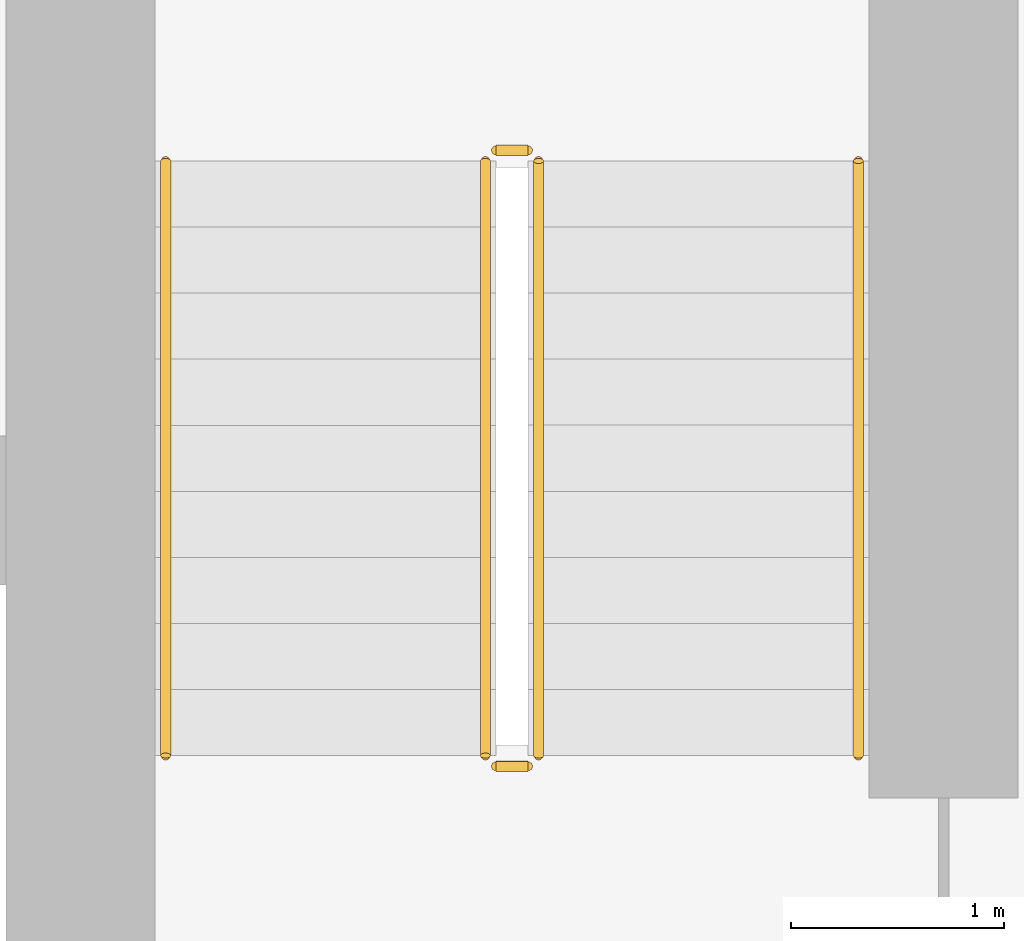
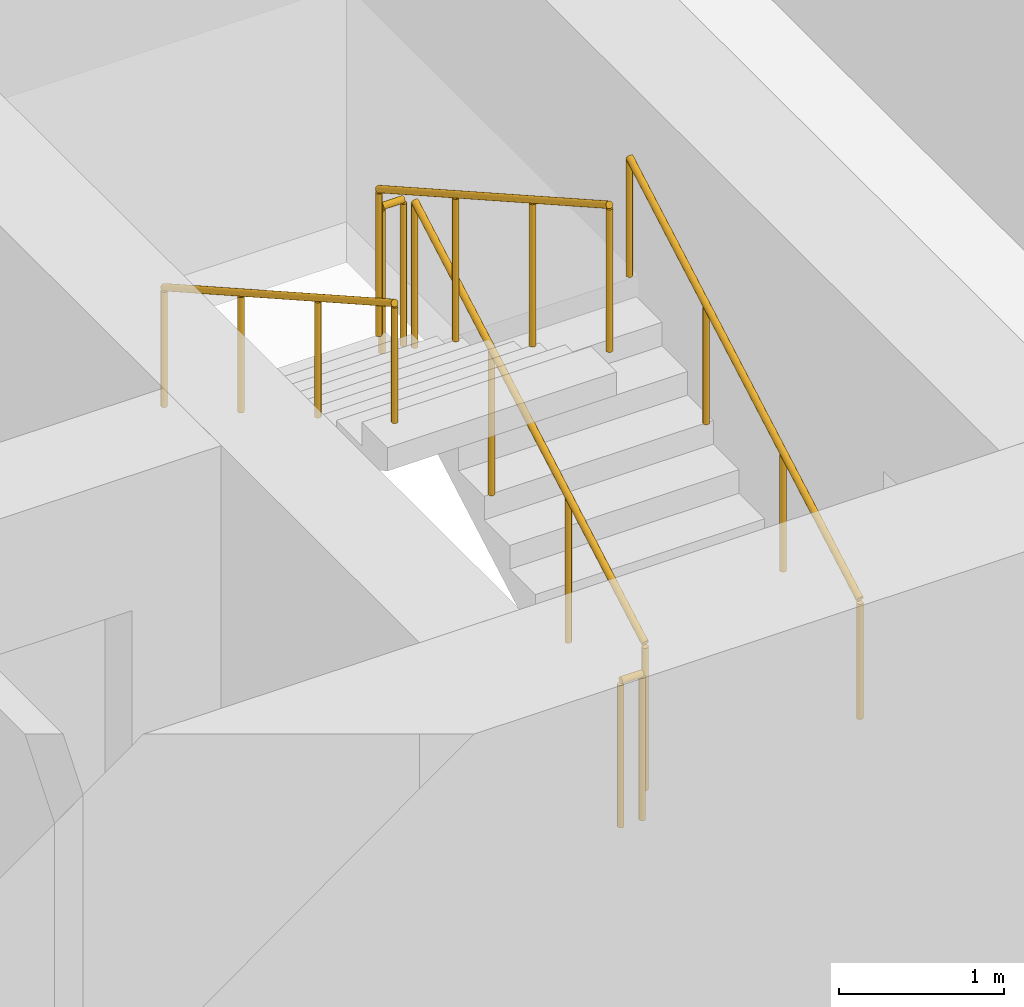
# One storey, part 19 of 21: 6 railings.
"""IFC4 building model written with IfcOpenShell, lengths in metres."""

from ifc_helpers import new_model, si_unit, direction, frame, origin, origin_2d, place, context, subcontext, project, spatial, circle, extrude, material, type_object, element, save


model = new_model("IFC4")

# Units and contexts
model_context = context("Model", 3, precision=1e-05, world=origin(), true_north=direction((0.0, 1.0)))
body_context = subcontext(model_context, "Body", "Model", "MODEL_VIEW")
ifc_project = project(units=[si_unit("LENGTHUNIT", "METRE"), si_unit("AREAUNIT", "SQUARE_METRE"), si_unit("VOLUMEUNIT", "CUBIC_METRE"), si_unit("PLANEANGLEUNIT", "RADIAN"), si_unit("MASSUNIT", "GRAM", prefix="KILO")], contexts=[model_context])

# Site, building, storey
site_placement = place(None, origin())
site = spatial("IfcSite", under=ifc_project, at=site_placement, CompositionType="ELEMENT")
building_placement = place(site_placement, origin())
building = spatial("IfcBuilding", under=site, at=building_placement, Name="Madar Terraces", CompositionType="ELEMENT")
storey_placement = place(building_placement, frame((0.0, 0.0, 50.39990234375)))
storey = spatial("IfcBuildingStorey", under=building, at=storey_placement, Name="L12", CompositionType="ELEMENT", Elevation=50.39990234375)

# Railings
ifc_material_1 = material(Name="Stainless steel railing", Category="steel")
railing_type_1 = type_object("IfcRailingType", Name="Stair guard 1100", PredefinedType="GUARDRAIL", material=ifc_material_1)
railing_1_placement = place(storey_placement, frame((41.449951171875, 17.60009765625, 0.175048828125)))
element("IfcRailing", 1, at=railing_1_placement, inside=storey, type_object=railing_type_1, Name="L12 ST3 stair guard 1", PredefinedType="GUARDRAIL", context=body_context, shape_type="SweptSolid", body=[
    extrude(circle(Radius=0.02392578125, at=origin_2d()), frame((0.0, 0.0, 1.076171875), z_axis=(0.0, 0.870815363784, 0.491610213684), x_axis=(-1.0, 0.0, 0.0)), (0.0, 0.0, 1.0), 3.20361328125),
    extrude(circle(Radius=0.02099609375, at=origin_2d()), origin(), (0.0, 0.0, 1.0), 1.052001953125),
    extrude(circle(Radius=0.02099609375, at=origin_2d()), frame((0.0, 0.929931640625, 0.52490234375)), (0.0, 0.0, 1.0), 1.052001953125),
    extrude(circle(Radius=0.02099609375, at=origin_2d()), frame((0.0, 1.85986328125, 1.050048828125)), (0.0, 0.0, 1.0), 1.052001953125),
    extrude(circle(Radius=0.02099609375, at=origin_2d()), frame((0.0, 2.789794921875, 1.574951171875)), (0.0, 0.0, 1.0), 1.052001953125),
])
railing_2_placement = place(storey_placement, frame((41.39990234375, 20.43994140625, 1.75)))
element("IfcRailing", 2, at=railing_2_placement, inside=storey, type_object=railing_type_1, Name="L12 ST3 stair guard 2", PredefinedType="GUARDRAIL", context=body_context, shape_type="SweptSolid", body=[
    extrude(circle(Radius=0.02392578125, at=origin_2d()), frame((0.0, 0.0, 1.076171875), z_axis=(-1.0, 0.0, 0.0), x_axis=(0.0, -1.0, 0.0)), (0.0, 0.0, 1.0), 0.14990234375),
    extrude(circle(Radius=0.02099609375, at=origin_2d()), origin(), (0.0, 0.0, 1.0), 1.052001953125),
    extrude(circle(Radius=0.02099609375, at=origin_2d()), frame((-0.14990234375, 0.0, 0.0)), (0.0, 0.0, 1.0), 1.052001953125),
])
railing_3_placement = place(storey_placement, frame((41.199951171875, 20.389892578125, 1.925048828125)))
element("IfcRailing", 3, at=railing_3_placement, inside=storey, type_object=railing_type_1, Name="L12 ST3 stair guard 3", PredefinedType="GUARDRAIL", context=body_context, shape_type="SweptSolid", body=[
    extrude(circle(Radius=0.02392578125, at=origin_2d()), frame((0.0, 0.0, 1.076171875), z_axis=(0.0, -0.870815363784, 0.491610213684), x_axis=(1.0, 0.0, 0.0)), (0.0, 0.0, 1.0), 3.20361328125),
    extrude(circle(Radius=0.02099609375, at=origin_2d()), origin(), (0.0, 0.0, 1.0), 1.052001953125),
    extrude(circle(Radius=0.02099609375, at=origin_2d()), frame((0.0, -0.929931640625, 0.52490234375)), (0.0, 0.0, 1.0), 1.052001953125),
    extrude(circle(Radius=0.02099609375, at=origin_2d()), frame((0.0, -1.85986328125, 1.050048828125)), (0.0, 0.0, 1.0), 1.052001953125),
    extrude(circle(Radius=0.02099609375, at=origin_2d()), frame((0.0, -2.789794921875, 1.574951171875)), (0.0, 0.0, 1.0), 1.052001953125),
])
railing_4_placement = place(storey_placement, frame((41.39990234375, 17.550048828125, 0.0)))
element("IfcRailing", 4, at=railing_4_placement, inside=storey, type_object=railing_type_1, Name="L12 ST3 stair guard 4", PredefinedType="GUARDRAIL", context=body_context, shape_type="SweptSolid", body=[
    extrude(circle(Radius=0.02392578125, at=origin_2d()), frame((0.0, 0.0, 1.076171875), z_axis=(-1.0, 0.0, 0.0), x_axis=(0.0, -1.0, 0.0)), (0.0, 0.0, 1.0), 0.14990234375),
    extrude(circle(Radius=0.02099609375, at=origin_2d()), origin(), (0.0, 0.0, 1.0), 1.052001953125),
    extrude(circle(Radius=0.02099609375, at=origin_2d()), frame((-0.14990234375, 0.0, 0.0)), (0.0, 0.0, 1.0), 1.052001953125),
])
ifc_material_2 = material(Name="Stainless steel railing", Category="steel")
railing_type_2 = type_object("IfcRailingType", Name="Stair handrail 900", PredefinedType="HANDRAIL", material=ifc_material_2)
railing_5_placement = place(storey_placement, frame((42.949951171875, 17.60009765625, 0.175048828125)))
element("IfcRailing", 5, at=railing_5_placement, inside=storey, type_object=railing_type_2, Name="L12 ST3 stair handrail 1", PredefinedType="HANDRAIL", context=body_context, shape_type="SweptSolid", body=[
    extrude(circle(Radius=0.02392578125, at=origin_2d()), frame((0.0, 0.0, 0.8759765625), z_axis=(0.0, 0.870815363784, 0.491610213684), x_axis=(-1.0, 0.0, 0.0)), (0.0, 0.0, 1.0), 3.20361328125),
    extrude(circle(Radius=0.02099609375, at=origin_2d()), origin(), (0.0, 0.0, 1.0), 0.851806640625),
    extrude(circle(Radius=0.02099609375, at=origin_2d()), frame((0.0, 0.929931640625, 0.52490234375)), (0.0, 0.0, 1.0), 0.851806640625),
    extrude(circle(Radius=0.02099609375, at=origin_2d()), frame((0.0, 1.85986328125, 1.050048828125)), (0.0, 0.0, 1.0), 0.851806640625),
    extrude(circle(Radius=0.02099609375, at=origin_2d()), frame((0.0, 2.789794921875, 1.574951171875)), (0.0, 0.0, 1.0), 0.851806640625),
])
railing_6_placement = place(storey_placement, frame((39.699951171875, 20.389892578125, 1.925048828125)))
element("IfcRailing", 6, at=railing_6_placement, inside=storey, type_object=railing_type_2, Name="L12 ST3 stair handrail 2", PredefinedType="HANDRAIL", context=body_context, shape_type="SweptSolid", body=[
    extrude(circle(Radius=0.02392578125, at=origin_2d()), frame((0.0, 0.0, 0.8759765625), z_axis=(0.0, -0.870815363784, 0.491610213684), x_axis=(1.0, 0.0, 0.0)), (0.0, 0.0, 1.0), 3.20361328125),
    extrude(circle(Radius=0.02099609375, at=origin_2d()), origin(), (0.0, 0.0, 1.0), 0.851806640625),
    extrude(circle(Radius=0.02099609375, at=origin_2d()), frame((0.0, -0.929931640625, 0.52490234375)), (0.0, 0.0, 1.0), 0.851806640625),
    extrude(circle(Radius=0.02099609375, at=origin_2d()), frame((0.0, -1.85986328125, 1.050048828125)), (0.0, 0.0, 1.0), 0.851806640625),
    extrude(circle(Radius=0.02099609375, at=origin_2d()), frame((0.0, -2.789794921875, 1.574951171875)), (0.0, 0.0, 1.0), 0.851806640625),
])

save(model, "model.ifc")
